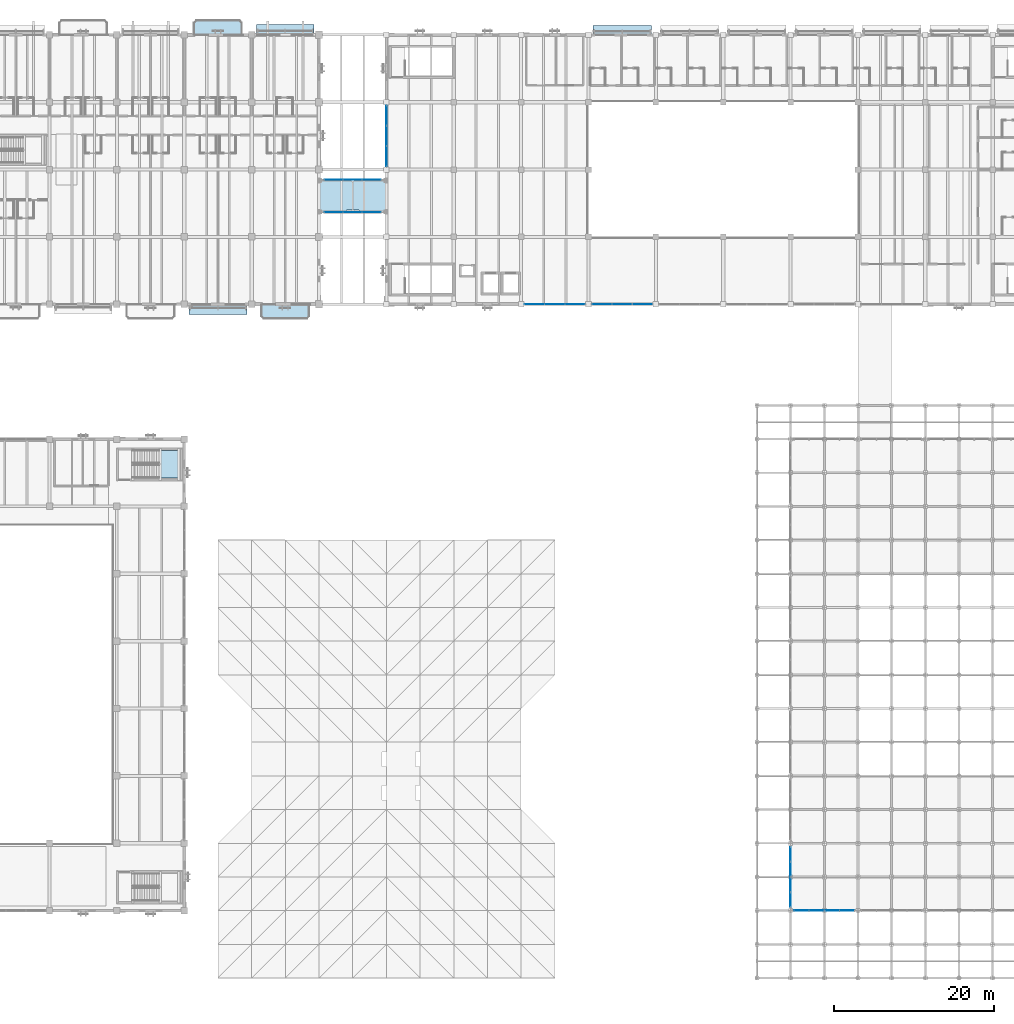
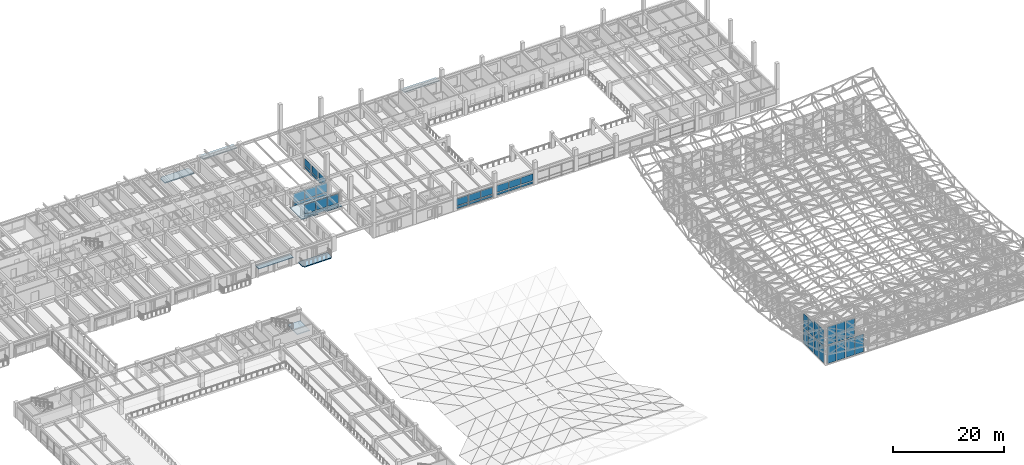
# One storey, part 68 of 123: 48 plates, 4 slabs, 13 elements without a shape of their own.
"""IFC4 building model written with IfcOpenShell, lengths in metres."""

import ifcopenshell
import ifcopenshell.guid

model = None  # the IFC model being written
_history = None  # IfcOwnerHistory: only IFC2X3 demands one
_inside = {}  # id of a spatial element -> (the spatial element, [elements in it])
_under = {}  # id of a project, library or spatial element -> (it, [spatial elements below it])
_declared = {}  # id of a project -> (the project, [libraries it declares])
_typed = {}  # id of a type object -> (the type object, [elements of that type])
_made_of = {}  # id of a material, layer set ... -> (it, [elements and type objects made of it])


def new_model(schema):
    """Start an empty IFC model of exactly this schema.

    Asked for "IFC4X3", IfcOpenShell would pick the latest addendum, in which some entities
    have other attributes; the version numbers below select the first issue.
    IFC2X3 requires an IfcOwnerHistory on every rooted entity: one is made here for all.
    """
    global model, _history
    if schema == "IFC4X3":
        model = ifcopenshell.file(schema_version=(4, 3, 0, 0))
    else:
        model = ifcopenshell.file(schema=schema)
    _inside.clear()
    _under.clear()
    _declared.clear()
    _typed.clear()
    _made_of.clear()
    _history = None
    if model.schema == "IFC2X3":
        org = make("IfcOrganization", Name="unknown")
        user = make(
            "IfcPersonAndOrganization",
            ThePerson=make("IfcPerson", FamilyName="unknown"),
            TheOrganization=org,
        )
        app = make(
            "IfcApplication",
            ApplicationDeveloper=org,
            Version="unknown",
            ApplicationFullName="unknown",
            ApplicationIdentifier="unknown",
        )
        _history = make(
            "IfcOwnerHistory",
            OwningUser=user,
            OwningApplication=app,
            ChangeAction="ADDED",
            CreationDate=0,
        )
    return model


def make(cls, **values):
    """One entity of the class cls with the attributes given. An attribute that is None is left unset."""
    return model.create_entity(
        cls, **{name: value for name, value in values.items() if value is not None}
    )


def rooted(cls, **values):
    """An entity with a GlobalId (a new one), such as an element, a storey or a relation."""
    return make(cls, GlobalId=ifcopenshell.guid.new(), OwnerHistory=_history, **values)


def si_unit(unit_type, name, prefix=None):
    """IfcSIUnit, for example si_unit("LENGTHUNIT", "METRE", prefix="MILLI")."""
    return make("IfcSIUnit", UnitType=unit_type, Prefix=prefix, Name=name)


def assignment(units):
    """IfcUnitAssignment: the units of a project."""
    return None if units is None else make("IfcUnitAssignment", Units=units)


def point(xyz):
    """IfcCartesianPoint."""
    return None if xyz is None else make("IfcCartesianPoint", Coordinates=xyz)


def direction(xyz):
    """IfcDirection."""
    return None if xyz is None else make("IfcDirection", DirectionRatios=xyz)


def frame(location, z_axis=None, x_axis=None):
    """IfcAxis2Placement3D, a coordinate frame: its origin and axes. An axis left out is left unset."""
    return make(
        "IfcAxis2Placement3D",
        Location=point(location),
        Axis=direction(z_axis),
        RefDirection=direction(x_axis),
    )


def frame_2d(location, x_axis=None):
    """IfcAxis2Placement2D, a coordinate frame in the plane: its origin and x axis."""
    return make(
        "IfcAxis2Placement2D", Location=point(location), RefDirection=direction(x_axis)
    )


def origin():
    """The frame at (0, 0, 0) with its axes left unset."""
    return frame((0.0, 0.0, 0.0))


def origin_2d():
    """The frame at (0, 0) in the plane with its x axis left unset."""
    return frame_2d((0.0, 0.0))


def place(relative_to, where):
    """IfcLocalPlacement: puts the frame where relative to a parent placement (None: the world)."""
    return make(
        "IfcLocalPlacement", PlacementRelTo=relative_to, RelativePlacement=where
    )


def context(
    kind, dimensions, precision=None, world=None, true_north=None, identifier=None
):
    """IfcGeometricRepresentationContext, for example the 3D "Model" context."""
    return make(
        "IfcGeometricRepresentationContext",
        ContextIdentifier=identifier,
        ContextType=kind,
        CoordinateSpaceDimension=dimensions,
        Precision=precision,
        WorldCoordinateSystem=world,
        TrueNorth=true_north,
    )


def subcontext(parent, identifier, kind, view, scale=None):
    """IfcGeometricRepresentationSubContext, for example "Body" below "Model"."""
    return make(
        "IfcGeometricRepresentationSubContext",
        ContextIdentifier=identifier,
        ContextType=kind,
        ParentContext=parent,
        TargetScale=scale,
        TargetView=view,
    )


def project(units=None, contexts=None):
    """IfcProject with its units and contexts."""
    return rooted(
        "IfcProject",
        Name="project",
        RepresentationContexts=contexts,
        UnitsInContext=assignment(units),
    )


def spatial(cls, under=None, at=None, **own):
    """A site, building, storey or space (cls), placed at a placement, below another one or the project."""
    s = rooted(cls, ObjectPlacement=at, **own)
    if under is not None:
        _under.setdefault(under.id(), (under, []))[1].append(s)
    return s


def polyline(points):
    """IfcPolyline through the points."""
    return make("IfcPolyline", Points=[point(p) for p in points])


def profile(cls, at=None, kind="AREA", **sizes):
    """A parametric profile (cls). Its sizes go by their IFC names, for example OverallWidth=200.0."""
    return make(cls, ProfileType=kind, Position=at, **sizes)


def rectangle(**sizes):
    """IfcRectangleProfileDef."""
    return profile("IfcRectangleProfileDef", **sizes)


def outline(outer, holes=None, kind="AREA"):
    """IfcArbitraryClosedProfileDef: a profile drawn as a closed curve; with holes, ...WithVoids."""
    if holes is None:
        return make("IfcArbitraryClosedProfileDef", ProfileType=kind, OuterCurve=outer)
    return make(
        "IfcArbitraryProfileDefWithVoids",
        ProfileType=kind,
        OuterCurve=outer,
        InnerCurves=holes,
    )


def extrude(swept, where, along, depth):
    """IfcExtrudedAreaSolid: the profile swept, set in the frame where, extruded along a direction by depth."""
    return make(
        "IfcExtrudedAreaSolid",
        SweptArea=swept,
        Position=where,
        ExtrudedDirection=direction(along),
        Depth=depth,
    )


def shape(context_of_items, identifier, shape_type, items):
    """IfcShapeRepresentation: the items that make up one representation, for example the "Body"."""
    return make(
        "IfcShapeRepresentation",
        ContextOfItems=context_of_items,
        RepresentationIdentifier=identifier,
        RepresentationType=shape_type,
        Items=items,
    )


def material(Name=None, Category=None):
    """IfcMaterial."""
    return make("IfcMaterial", Name=Name, Category=Category)


def layer(
    of_material, thickness, ventilated=None, Name=None, Category=None, Priority=None
):
    """IfcMaterialLayer: one layer of a wall or slab, of a material (None: an air gap)."""
    return make(
        "IfcMaterialLayer",
        Material=of_material,
        LayerThickness=thickness,
        IsVentilated=ventilated,
        Name=Name,
        Category=Category,
        Priority=Priority,
    )


def layer_set(layers, Name=None):
    """IfcMaterialLayerSet."""
    return make("IfcMaterialLayerSet", MaterialLayers=layers, LayerSetName=Name)


def made_of(thing, what):
    """Note that an element or type object is made of a material, layer set ...; save() writes the relation."""
    if what is not None:
        _made_of.setdefault(what.id(), (what, []))[1].append(thing)
    return thing


def type_object(cls, material=None, **own):
    """A type object (cls), such as IfcWallType, which elements share."""
    return made_of(rooted(cls, **own), material)


def element(
    cls,
    number,
    at=None,
    inside=None,
    cuts=None,
    type_object=None,
    material=None,
    context=None,
    identifier="Body",
    shape_type=None,
    held_by="IfcProductDefinitionShape",
    body=None,
    shapes=None,
    **own,
):
    """One element of the class cls, such as IfcWall. Its Tag is "e" and its number.

    at: its placement. inside: the storey or other place that contains it. cuts: it is an
    opening in that element (IfcRelVoidsElement). A single representation is given by context,
    identifier, shape_type and body (its items); several are given by shapes. held_by: the class
    of the entity that holds the representations. save() writes the other relations.
    """
    e = rooted(cls, Tag="e%d" % number, ObjectPlacement=at, **own)
    if body is not None:
        shapes = [shape(context, identifier, shape_type, body)]
    if shapes is not None:
        e.Representation = make(held_by, Representations=shapes)
    if inside is not None:
        _inside.setdefault(inside.id(), (inside, []))[1].append(e)
    if cuts is not None:
        rooted(
            "IfcRelVoidsElement", RelatingBuildingElement=cuts, RelatedOpeningElement=e
        )
    if type_object is not None:
        _typed.setdefault(type_object.id(), (type_object, []))[1].append(e)
    return made_of(e, material)


def aggregate(whole, parts):
    """IfcRelAggregates: a whole, such as a stair, and the parts it consists of."""
    return rooted("IfcRelAggregates", RelatingObject=whole, RelatedObjects=parts)


def save(model, path):
    """Write the relations noted so far, then the file.

    IfcRelAggregates (storeys below a building ...), IfcRelContainedInSpatialStructure (elements
    in a storey), IfcRelDefinesByType, IfcRelAssociatesMaterial and IfcRelDeclares: one each for
    every whole, place, type object, material and project.
    """
    for whole, parts in _under.values():
        aggregate(whole, parts)
    for where, things in _inside.values():
        rooted(
            "IfcRelContainedInSpatialStructure",
            RelatedElements=things,
            RelatingStructure=where,
        )
    for kind, things in _typed.values():
        rooted("IfcRelDefinesByType", RelatedObjects=things, RelatingType=kind)
    for what, things in _made_of.values():
        rooted("IfcRelAssociatesMaterial", RelatedObjects=things, RelatingMaterial=what)
    for by, libraries in _declared.values():
        rooted("IfcRelDeclares", RelatingContext=by, RelatedDefinitions=libraries)
    model.write(path)


model = new_model("IFC4")

# Units and contexts
model_context = context("Model", 3, precision=1e-05, world=origin(), true_north=direction((0.0, 1.0)))
body_context = subcontext(model_context, "Body", "Model", "MODEL_VIEW")
ifc_project = project(units=[si_unit("LENGTHUNIT", "METRE"), si_unit("AREAUNIT", "SQUARE_METRE"), si_unit("VOLUMEUNIT", "CUBIC_METRE"), si_unit("PLANEANGLEUNIT", "RADIAN"), si_unit("MASSUNIT", "GRAM", prefix="KILO")], contexts=[model_context])

# Site, building, storey
site_placement = place(None, origin())
site = spatial("IfcSite", under=ifc_project, at=site_placement, CompositionType="ELEMENT")
building_placement = place(site_placement, origin())
building = spatial("IfcBuilding", under=site, at=building_placement, Name="Cumbredor Promenade Congress Hotel", CompositionType="ELEMENT")
storey_placement = place(building_placement, frame((0.0, 0.0, 11.760009765625)))
storey = spatial("IfcBuildingStorey", under=building, at=storey_placement, Name="L03", CompositionType="ELEMENT", Elevation=11.760009765625)

# Slabs
ifc_material_1 = material(Name="Concrete C40/50", Category="concrete")
ifc_layer_1 = layer(ifc_material_1, 0.215087890625, Name="Concrete C40/50", Category="concrete")
ifc_layer_set_1 = layer_set([ifc_layer_1], Name="Concrete C40/50")
slab_type_1 = type_object("IfcSlabType", Name="Cantilevered Guestroom Balcony Slab 215mm", PredefinedType="FLOOR", material=ifc_layer_set_1)
slab_1_placement = place(storey_placement, frame((0.0, 0.0, -0.215087890625)))
element("IfcSlab", 1, at=slab_1_placement, inside=storey, type_object=slab_type_1, Name="L03 Cantilevered Guestroom Veranda Balcony 015", PredefinedType="FLOOR", context=body_context, shape_type="SweptSolid", body=[
    extrude(outline(polyline([(68.35009765625, 117.60009765625), (74.449951171875, 117.60009765625), (74.449951171875, 119.10009765625), (74.10009765625, 119.449951171875), (68.699951171875, 119.449951171875), (68.35009765625, 119.10009765625), (68.35009765625, 117.60009765625)])), origin(), (0.0, 0.0, 1.0), 0.215087890625),
])
slab_2_placement = place(storey_placement, frame((0.0, 0.0, -0.215087890625)))
element("IfcSlab", 2, at=slab_2_placement, inside=storey, type_object=slab_type_1, Name="L03 Cantilevered Guestroom Veranda Balcony 019", PredefinedType="FLOOR", context=body_context, shape_type="SweptSolid", body=[
    extrude(outline(polyline([(77.10009765625, 82.14990234375), (82.5, 82.14990234375), (82.85009765625, 82.5), (82.85009765625, 84.0), (76.75, 84.0), (76.75, 82.5), (77.10009765625, 82.14990234375)])), origin(), (0.0, 0.0, 1.0), 0.215087890625),
])

# Curtain wall, plates
ifc_material_2 = material(Name="Thermally broken anodized aluminium and low-E glass", Category="aluminium")
curtain_wall_type_1 = type_object("IfcCurtainWallType", Name="Stepped Pavilion Clerestory Curtain Wall CW-06", PredefinedType="NOTDEFINED", material=ifc_material_2)
curtain_wall_1_placement = place(storey_placement, origin())
curtain_wall_1 = element("IfcCurtainWall", 3, at=curtain_wall_1_placement, inside=storey, type_object=curtain_wall_type_1, Name="Grand Ballroom Pavilion S Glazed Clerestory 1", PredefinedType="NOTDEFINED")
ifc_material_3 = material(Name="Laminated low-E solar-control glass", Category="glass")
ifc_layer_2 = layer(ifc_material_3, 0.031982421875, Name="Laminated low-E solar-control glass", Category="glass")
ifc_layer_set_2 = layer_set([ifc_layer_2], Name="Laminated low-E solar-control glass")
plate_type_1 = type_object("IfcPlateType", Name="Clerestory Glazed Vision Panel PNL-07", PredefinedType="CURTAIN_PANEL", material=ifc_layer_set_2)
plate_1_placement = place(storey_placement, frame((144.169921875, 8.39990234375, 0.169921875), z_axis=(0.0, 0.0, 1.0), x_axis=(1.0, 0.0, 0.0)))
plate_1 = element("IfcPlate", 4, at=plate_1_placement, type_object=plate_type_1, Name="Grand Ballroom Pavilion S Glazed Clerestory 1 Glazing Panel 1.1", PredefinedType="CURTAIN_PANEL", context=body_context, shape_type="SweptSolid", body=[
    extrude(rectangle(XDim=1.77490234375, YDim=0.031982421875, at=origin_2d()), origin(), (0.0, 0.0, 1.0), 3.93994140625),
])
plate_2_placement = place(storey_placement, frame((144.169921875, 8.39990234375, 4.2900390625), z_axis=(0.0, 0.0, 1.0), x_axis=(1.0, 0.0, 0.0)))
plate_2 = element("IfcPlate", 5, at=plate_2_placement, type_object=plate_type_1, Name="Grand Ballroom Pavilion S Glazed Clerestory 1 Glazing Panel 1.2", PredefinedType="CURTAIN_PANEL", context=body_context, shape_type="SweptSolid", body=[
    extrude(rectangle(XDim=1.77490234375, YDim=0.031982421875, at=origin_2d()), origin(), (0.0, 0.0, 1.0), 3.949951171875),
])
plate_3_placement = place(storey_placement, frame((146.030029296875, 8.39990234375, 0.169921875), z_axis=(0.0, 0.0, 1.0), x_axis=(1.0, 0.0, 0.0)))
plate_3 = element("IfcPlate", 6, at=plate_3_placement, type_object=plate_type_1, Name="Grand Ballroom Pavilion S Glazed Clerestory 1 Glazing Panel 2.1", PredefinedType="CURTAIN_PANEL", context=body_context, shape_type="SweptSolid", body=[
    extrude(rectangle(XDim=1.77490234375, YDim=0.031982421875, at=origin_2d()), origin(), (0.0, 0.0, 1.0), 3.93994140625),
])
plate_4_placement = place(storey_placement, frame((146.030029296875, 8.39990234375, 4.2900390625), z_axis=(0.0, 0.0, 1.0), x_axis=(1.0, 0.0, 0.0)))
plate_4 = element("IfcPlate", 7, at=plate_4_placement, type_object=plate_type_1, Name="Grand Ballroom Pavilion S Glazed Clerestory 1 Glazing Panel 2.2", PredefinedType="CURTAIN_PANEL", context=body_context, shape_type="SweptSolid", body=[
    extrude(rectangle(XDim=1.77490234375, YDim=0.031982421875, at=origin_2d()), origin(), (0.0, 0.0, 1.0), 3.949951171875),
])
aggregate(curtain_wall_1, [plate_1, plate_2, plate_3, plate_4])

curtain_wall_2_placement = place(storey_placement, origin())
curtain_wall_2 = element("IfcCurtainWall", 8, at=curtain_wall_2_placement, inside=storey, type_object=curtain_wall_type_1, Name="Grand Ballroom Pavilion S Glazed Clerestory 2", PredefinedType="NOTDEFINED")
plate_5_placement = place(storey_placement, frame((147.969970703125, 8.39990234375, 0.169921875), z_axis=(0.0, 0.0, 1.0), x_axis=(1.0, 0.0, 0.0)))
plate_5 = element("IfcPlate", 9, at=plate_5_placement, type_object=plate_type_1, Name="Grand Ballroom Pavilion S Glazed Clerestory 2 Glazing Panel 1.1", PredefinedType="CURTAIN_PANEL", context=body_context, shape_type="SweptSolid", body=[
    extrude(rectangle(XDim=1.77490234375, YDim=0.031982421875, at=origin_2d()), origin(), (0.0, 0.0, 1.0), 3.929931640625),
])
plate_6_placement = place(storey_placement, frame((147.969970703125, 8.39990234375, 4.280029296875), z_axis=(0.0, 0.0, 1.0), x_axis=(1.0, 0.0, 0.0)))
plate_6 = element("IfcPlate", 10, at=plate_6_placement, type_object=plate_type_1, Name="Grand Ballroom Pavilion S Glazed Clerestory 2 Glazing Panel 1.2", PredefinedType="CURTAIN_PANEL", context=body_context, shape_type="SweptSolid", body=[
    extrude(rectangle(XDim=1.77490234375, YDim=0.031982421875, at=origin_2d()), origin(), (0.0, 0.0, 1.0), 3.919921875),
])
plate_7_placement = place(storey_placement, frame((149.830078125, 8.39990234375, 0.169921875), z_axis=(0.0, 0.0, 1.0), x_axis=(1.0, 0.0, 0.0)))
plate_7 = element("IfcPlate", 11, at=plate_7_placement, type_object=plate_type_1, Name="Grand Ballroom Pavilion S Glazed Clerestory 2 Glazing Panel 2.1", PredefinedType="CURTAIN_PANEL", context=body_context, shape_type="SweptSolid", body=[
    extrude(rectangle(XDim=1.77490234375, YDim=0.031982421875, at=origin_2d()), origin(), (0.0, 0.0, 1.0), 3.929931640625),
])
aggregate(curtain_wall_2, [plate_5, plate_6, plate_7])

curtain_wall_3_placement = place(storey_placement, origin())
curtain_wall_3 = element("IfcCurtainWall", 12, at=curtain_wall_3_placement, inside=storey, type_object=curtain_wall_type_1, Name="Grand Ballroom Pavilion W Glazed Clerestory 1", PredefinedType="NOTDEFINED")
plate_8_placement = place(storey_placement, frame((142.800048828125, 9.77001953125, 0.169921875), z_axis=(0.0, 0.0, 1.0), x_axis=(0.0, 1.0, 0.0)))
plate_8 = element("IfcPlate", 13, at=plate_8_placement, type_object=plate_type_1, Name="Grand Ballroom Pavilion W Glazed Clerestory 1 Glazing Panel 1.1", PredefinedType="CURTAIN_PANEL", context=body_context, shape_type="SweptSolid", body=[
    extrude(rectangle(XDim=1.77490234375, YDim=0.031982421875, at=origin_2d()), origin(), (0.0, 0.0, 1.0), 3.530029296875),
])
plate_9_placement = place(storey_placement, frame((142.800048828125, 9.77001953125, 3.8798828125), z_axis=(0.0, 0.0, 1.0), x_axis=(0.0, 1.0, 0.0)))
plate_9 = element("IfcPlate", 14, at=plate_9_placement, type_object=plate_type_1, Name="Grand Ballroom Pavilion W Glazed Clerestory 1 Glazing Panel 1.2", PredefinedType="CURTAIN_PANEL", context=body_context, shape_type="SweptSolid", body=[
    extrude(rectangle(XDim=1.77490234375, YDim=0.031982421875, at=origin_2d()), origin(), (0.0, 0.0, 1.0), 3.530029296875),
])
plate_10_placement = place(storey_placement, frame((142.800048828125, 11.6298828125, 0.169921875), z_axis=(0.0, 0.0, 1.0), x_axis=(0.0, 1.0, 0.0)))
plate_10 = element("IfcPlate", 15, at=plate_10_placement, type_object=plate_type_1, Name="Grand Ballroom Pavilion W Glazed Clerestory 1 Glazing Panel 2.1", PredefinedType="CURTAIN_PANEL", context=body_context, shape_type="SweptSolid", body=[
    extrude(rectangle(XDim=1.77490234375, YDim=0.031982421875, at=origin_2d()), origin(), (0.0, 0.0, 1.0), 3.530029296875),
])
plate_11_placement = place(storey_placement, frame((142.800048828125, 11.6298828125, 3.8798828125), z_axis=(0.0, 0.0, 1.0), x_axis=(0.0, 1.0, 0.0)))
plate_11 = element("IfcPlate", 16, at=plate_11_placement, type_object=plate_type_1, Name="Grand Ballroom Pavilion W Glazed Clerestory 1 Glazing Panel 2.2", PredefinedType="CURTAIN_PANEL", context=body_context, shape_type="SweptSolid", body=[
    extrude(rectangle(XDim=1.77490234375, YDim=0.031982421875, at=origin_2d()), origin(), (0.0, 0.0, 1.0), 3.530029296875),
])
aggregate(curtain_wall_3, [plate_8, plate_9, plate_10, plate_11])

curtain_wall_4_placement = place(storey_placement, origin())
curtain_wall_4 = element("IfcCurtainWall", 17, at=curtain_wall_4_placement, inside=storey, type_object=curtain_wall_type_1, Name="Grand Ballroom Pavilion W Glazed Clerestory 2", PredefinedType="NOTDEFINED")
plate_12_placement = place(storey_placement, frame((142.800048828125, 13.570068359375, 0.169921875), z_axis=(0.0, 0.0, 1.0), x_axis=(0.0, 1.0, 0.0)))
plate_12 = element("IfcPlate", 18, at=plate_12_placement, type_object=plate_type_1, Name="Grand Ballroom Pavilion W Glazed Clerestory 2 Glazing Panel 1.1", PredefinedType="CURTAIN_PANEL", context=body_context, shape_type="SweptSolid", body=[
    extrude(rectangle(XDim=1.77490234375, YDim=0.031982421875, at=origin_2d()), origin(), (0.0, 0.0, 1.0), 3.169921875),
])
plate_13_placement = place(storey_placement, frame((142.800048828125, 13.570068359375, 3.52001953125), z_axis=(0.0, 0.0, 1.0), x_axis=(0.0, 1.0, 0.0)))
plate_13 = element("IfcPlate", 19, at=plate_13_placement, type_object=plate_type_1, Name="Grand Ballroom Pavilion W Glazed Clerestory 2 Glazing Panel 1.2", PredefinedType="CURTAIN_PANEL", context=body_context, shape_type="SweptSolid", body=[
    extrude(rectangle(XDim=1.77490234375, YDim=0.031982421875, at=origin_2d()), origin(), (0.0, 0.0, 1.0), 3.159912109375),
])
plate_14_placement = place(storey_placement, frame((142.800048828125, 15.429931640625, 0.169921875), z_axis=(0.0, 0.0, 1.0), x_axis=(0.0, 1.0, 0.0)))
plate_14 = element("IfcPlate", 20, at=plate_14_placement, type_object=plate_type_1, Name="Grand Ballroom Pavilion W Glazed Clerestory 2 Glazing Panel 2.1", PredefinedType="CURTAIN_PANEL", context=body_context, shape_type="SweptSolid", body=[
    extrude(rectangle(XDim=1.77490234375, YDim=0.031982421875, at=origin_2d()), origin(), (0.0, 0.0, 1.0), 3.169921875),
])
plate_15_placement = place(storey_placement, frame((142.800048828125, 15.429931640625, 3.52001953125), z_axis=(0.0, 0.0, 1.0), x_axis=(0.0, 1.0, 0.0)))
plate_15 = element("IfcPlate", 21, at=plate_15_placement, type_object=plate_type_1, Name="Grand Ballroom Pavilion W Glazed Clerestory 2 Glazing Panel 2.2", PredefinedType="CURTAIN_PANEL", context=body_context, shape_type="SweptSolid", body=[
    extrude(rectangle(XDim=1.77490234375, YDim=0.031982421875, at=origin_2d()), origin(), (0.0, 0.0, 1.0), 3.159912109375),
])
aggregate(curtain_wall_4, [plate_12, plate_13, plate_14, plate_15])

# Stair, slab
stair_type = type_object("IfcStairType", Name="Protected Dog-Leg Exit Stair ST-T3 1650mm", PredefinedType="HALF_TURN_STAIR", material=ifc_material_1)
stair_placement = place(storey_placement, origin())
stair = element("IfcStair", 22, at=stair_placement, inside=storey, type_object=stair_type, Name="L03 Protected Exit Stair ST-07", PredefinedType="HALF_TURN_STAIR")
ifc_layer_3 = layer(ifc_material_1, 0.199951171875, Name="Concrete C40/50", Category="concrete")
ifc_layer_set_3 = layer_set([ifc_layer_3], Name="Concrete C40/50")
slab_type_2 = type_object("IfcSlabType", Name="Concrete Stair Landing Slab 200mm", PredefinedType="LANDING", material=ifc_layer_set_3)
slab_3_placement = place(storey_placement, frame((0.0, 0.0, 1.47998046875)))
slab_3 = element("IfcSlab", 23, at=slab_3_placement, type_object=slab_type_2, Name="ST-07 landing 1", PredefinedType="LANDING", context=body_context, shape_type="SweptSolid", body=[
    extrude(outline(polyline([(64.050048828125, 62.35009765625), (66.64990234375, 62.35009765625), (66.64990234375, 65.800048828125), (64.050048828125, 65.800048828125), (64.050048828125, 62.35009765625)])), origin(), (0.0, 0.0, 1.0), 0.199951171875),
])
aggregate(stair, [slab_3])

# Curtain wall, plates
curtain_wall_type_2 = type_object("IfcCurtainWallType", Name="Unitised Bridge Glazing Screen CW-05", PredefinedType="NOTDEFINED", material=ifc_material_2)
curtain_wall_5_placement = place(storey_placement, origin())
curtain_wall_5 = element("IfcCurtainWall", 24, at=curtain_wall_5_placement, inside=storey, type_object=curtain_wall_type_2, Name="L03 North Hotel-to-Forum Glazed Bridge South Glazing Screen", PredefinedType="NOTDEFINED")
ifc_layer_4 = layer(ifc_material_3, 0.030029296875, Name="Laminated low-E solar-control glass", Category="glass")
ifc_layer_set_4 = layer_set([ifc_layer_4], Name="Laminated low-E solar-control glass")
plate_type_2 = type_object("IfcPlateType", Name="Glazed Bridge Panel PNL-04", PredefinedType="CURTAIN_PANEL", material=ifc_layer_set_4)
plate_16_placement = place(storey_placement, frame((85.840087890625, 95.47998046875, 0.78515625), z_axis=(0.0, 0.0, 1.0), x_axis=(1.0, 0.0, 0.0)))
plate_16 = element("IfcPlate", 25, at=plate_16_placement, type_object=plate_type_2, Name="L03 North Hotel-to-Forum Glazed Bridge South Glazing Screen Glazing Panel 1.2", PredefinedType="CURTAIN_PANEL", context=body_context, shape_type="SweptSolid", body=[
    extrude(rectangle(XDim=2.294921875, YDim=0.030029296875, at=origin_2d()), origin(), (0.0, 0.0, 1.0), 2.070068359375),
])
plate_17_placement = place(storey_placement, frame((88.199951171875, 95.47998046875, 0.78515625), z_axis=(0.0, 0.0, 1.0), x_axis=(1.0, 0.0, 0.0)))
plate_17 = element("IfcPlate", 26, at=plate_17_placement, type_object=plate_type_2, Name="L03 North Hotel-to-Forum Glazed Bridge South Glazing Screen Glazing Panel 2.2", PredefinedType="CURTAIN_PANEL", context=body_context, shape_type="SweptSolid", body=[
    extrude(rectangle(XDim=2.294921875, YDim=0.030029296875, at=origin_2d()), origin(), (0.0, 0.0, 1.0), 2.070068359375),
])
plate_18_placement = place(storey_placement, frame((90.56005859375, 95.47998046875, 0.78515625), z_axis=(0.0, 0.0, 1.0), x_axis=(1.0, 0.0, 0.0)))
plate_18 = element("IfcPlate", 27, at=plate_18_placement, type_object=plate_type_2, Name="L03 North Hotel-to-Forum Glazed Bridge South Glazing Screen Glazing Panel 3.2", PredefinedType="CURTAIN_PANEL", context=body_context, shape_type="SweptSolid", body=[
    extrude(rectangle(XDim=2.294921875, YDim=0.030029296875, at=origin_2d()), origin(), (0.0, 0.0, 1.0), 2.070068359375),
])

curtain_wall_6_placement = place(storey_placement, origin())
curtain_wall_6 = element("IfcCurtainWall", 28, at=curtain_wall_6_placement, inside=storey, type_object=curtain_wall_type_2, Name="L03 North Hotel-to-Forum Glazed Bridge North Glazing Screen", PredefinedType="NOTDEFINED")
plate_19_placement = place(storey_placement, frame((85.840087890625, 99.52001953125, 0.78515625), z_axis=(0.0, 0.0, 1.0), x_axis=(1.0, 0.0, 0.0)))
plate_19 = element("IfcPlate", 29, at=plate_19_placement, type_object=plate_type_2, Name="L03 North Hotel-to-Forum Glazed Bridge North Glazing Screen Glazing Panel 1.2", PredefinedType="CURTAIN_PANEL", context=body_context, shape_type="SweptSolid", body=[
    extrude(rectangle(XDim=2.294921875, YDim=0.030029296875, at=origin_2d()), origin(), (0.0, 0.0, 1.0), 2.070068359375),
])
plate_20_placement = place(storey_placement, frame((88.199951171875, 99.52001953125, 0.78515625), z_axis=(0.0, 0.0, 1.0), x_axis=(1.0, 0.0, 0.0)))
plate_20 = element("IfcPlate", 30, at=plate_20_placement, type_object=plate_type_2, Name="L03 North Hotel-to-Forum Glazed Bridge North Glazing Screen Glazing Panel 2.2", PredefinedType="CURTAIN_PANEL", context=body_context, shape_type="SweptSolid", body=[
    extrude(rectangle(XDim=2.294921875, YDim=0.030029296875, at=origin_2d()), origin(), (0.0, 0.0, 1.0), 2.070068359375),
])
plate_21_placement = place(storey_placement, frame((90.56005859375, 99.52001953125, 0.78515625), z_axis=(0.0, 0.0, 1.0), x_axis=(1.0, 0.0, 0.0)))
plate_21 = element("IfcPlate", 31, at=plate_21_placement, type_object=plate_type_2, Name="L03 North Hotel-to-Forum Glazed Bridge North Glazing Screen Glazing Panel 3.2", PredefinedType="CURTAIN_PANEL", context=body_context, shape_type="SweptSolid", body=[
    extrude(rectangle(XDim=2.294921875, YDim=0.030029296875, at=origin_2d()), origin(), (0.0, 0.0, 1.0), 2.070068359375),
])

curtain_wall_type_3 = type_object("IfcCurtainWallType", Name="Unitised Forum Curtain Wall CW-02", PredefinedType="NOTDEFINED", material=ifc_material_2)
curtain_wall_7_placement = place(storey_placement, origin())
curtain_wall_7 = element("IfcCurtainWall", 32, at=curtain_wall_7_placement, inside=storey, type_object=curtain_wall_type_3, Name="L03 Pre-Function and Breakout Meeting Forum South Curtain Wall 3", PredefinedType="NOTDEFINED")
ifc_layer_5 = layer(ifc_material_3, 0.031982421875, Name="Laminated low-E solar-control glass", Category="glass")
ifc_layer_set_5 = layer_set([ifc_layer_5], Name="Laminated low-E solar-control glass")
plate_type_3 = type_object("IfcPlateType", Name="Glazed Vision Panel PNL-02", PredefinedType="CURTAIN_PANEL", material=ifc_layer_set_5)
plate_22_placement = place(storey_placement, frame((110.8701171875, 84.0, 0.794921875), z_axis=(0.0, 0.0, 1.0), x_axis=(1.0, 0.0, 0.0)))
plate_22 = element("IfcPlate", 33, at=plate_22_placement, type_object=plate_type_3, Name="L03 Pre-Function and Breakout Meeting Forum South Curtain Wall 3 Glazing Panel 1.2", PredefinedType="CURTAIN_PANEL", context=body_context, shape_type="SweptSolid", body=[
    extrude(rectangle(XDim=2.455078125, YDim=0.031982421875, at=origin_2d()), origin(), (0.0, 0.0, 1.0), 1.550048828125),
])
plate_23_placement = place(storey_placement, frame((113.39990234375, 84.0, 0.794921875), z_axis=(0.0, 0.0, 1.0), x_axis=(1.0, 0.0, 0.0)))
plate_23 = element("IfcPlate", 34, at=plate_23_placement, type_object=plate_type_3, Name="L03 Pre-Function and Breakout Meeting Forum South Curtain Wall 3 Glazing Panel 2.2", PredefinedType="CURTAIN_PANEL", context=body_context, shape_type="SweptSolid", body=[
    extrude(rectangle(XDim=2.455078125, YDim=0.031982421875, at=origin_2d()), origin(), (0.0, 0.0, 1.0), 1.550048828125),
])
plate_24_placement = place(storey_placement, frame((115.929931640625, 84.0, 0.794921875), z_axis=(0.0, 0.0, 1.0), x_axis=(1.0, 0.0, 0.0)))
plate_24 = element("IfcPlate", 35, at=plate_24_placement, type_object=plate_type_3, Name="L03 Pre-Function and Breakout Meeting Forum South Curtain Wall 3 Glazing Panel 3.2", PredefinedType="CURTAIN_PANEL", context=body_context, shape_type="SweptSolid", body=[
    extrude(rectangle(XDim=2.455078125, YDim=0.031982421875, at=origin_2d()), origin(), (0.0, 0.0, 1.0), 1.550048828125),
])

curtain_wall_8_placement = place(storey_placement, origin())
curtain_wall_8 = element("IfcCurtainWall", 36, at=curtain_wall_8_placement, inside=storey, type_object=curtain_wall_type_3, Name="L03 Pre-Function and Breakout Meeting Forum West Curtain Wall 3", PredefinedType="NOTDEFINED")
plate_25_placement = place(storey_placement, frame((92.39990234375, 102.469970703125, 0.794921875), z_axis=(0.0, 0.0, 1.0), x_axis=(0.0, 1.0, 0.0)))
plate_25 = element("IfcPlate", 37, at=plate_25_placement, type_object=plate_type_3, Name="L03 Pre-Function and Breakout Meeting Forum West Curtain Wall 3 Glazing Panel 1.2", PredefinedType="CURTAIN_PANEL", context=body_context, shape_type="SweptSolid", body=[
    extrude(rectangle(XDim=2.455078125, YDim=0.031982421875, at=origin_2d()), origin(), (0.0, 0.0, 1.0), 1.510009765625),
])
plate_26_placement = place(storey_placement, frame((92.39990234375, 105.0, 0.794921875), z_axis=(0.0, 0.0, 1.0), x_axis=(0.0, 1.0, 0.0)))
plate_26 = element("IfcPlate", 38, at=plate_26_placement, type_object=plate_type_3, Name="L03 Pre-Function and Breakout Meeting Forum West Curtain Wall 3 Glazing Panel 2.2", PredefinedType="CURTAIN_PANEL", context=body_context, shape_type="SweptSolid", body=[
    extrude(rectangle(XDim=2.455078125, YDim=0.031982421875, at=origin_2d()), origin(), (0.0, 0.0, 1.0), 1.510009765625),
])
plate_27_placement = place(storey_placement, frame((92.39990234375, 107.530029296875, 0.794921875), z_axis=(0.0, 0.0, 1.0), x_axis=(0.0, 1.0, 0.0)))
plate_27 = element("IfcPlate", 39, at=plate_27_placement, type_object=plate_type_3, Name="L03 Pre-Function and Breakout Meeting Forum West Curtain Wall 3 Glazing Panel 3.2", PredefinedType="CURTAIN_PANEL", context=body_context, shape_type="SweptSolid", body=[
    extrude(rectangle(XDim=2.455078125, YDim=0.031982421875, at=origin_2d()), origin(), (0.0, 0.0, 1.0), 1.510009765625),
])

curtain_wall_9_placement = place(storey_placement, origin())
curtain_wall_9 = element("IfcCurtainWall", 40, at=curtain_wall_9_placement, inside=storey, type_object=curtain_wall_type_3, Name="L03 Pre-Function and Breakout Meeting Forum South Curtain Wall 4", PredefinedType="NOTDEFINED")
ifc_layer_6 = layer(ifc_material_3, 0.028076171875, Name="Laminated low-E solar-control glass", Category="glass")
ifc_layer_set_6 = layer_set([ifc_layer_6], Name="Laminated low-E solar-control glass")
plate_type_4 = type_object("IfcPlateType", Name="Glazed Vision Panel PNL-03", PredefinedType="CURTAIN_PANEL", material=ifc_layer_set_6)
plate_28_placement = place(storey_placement, frame((119.27001953125, 84.0, 0.81005859375), z_axis=(0.0, 0.0, 1.0), x_axis=(1.0, 0.0, 0.0)))
plate_28 = element("IfcPlate", 41, at=plate_28_placement, type_object=plate_type_4, Name="L03 Pre-Function and Breakout Meeting Forum South Curtain Wall 4 Glazing Panel 1.2", PredefinedType="CURTAIN_PANEL", context=body_context, shape_type="SweptSolid", body=[
    extrude(rectangle(XDim=2.449951171875, YDim=0.028076171875, at=origin_2d()), origin(), (0.0, 0.0, 1.0), 1.5),
])
plate_29_placement = place(storey_placement, frame((121.800048828125, 84.0, 0.81005859375), z_axis=(0.0, 0.0, 1.0), x_axis=(1.0, 0.0, 0.0)))
plate_29 = element("IfcPlate", 42, at=plate_29_placement, type_object=plate_type_4, Name="L03 Pre-Function and Breakout Meeting Forum South Curtain Wall 4 Glazing Panel 2.2", PredefinedType="CURTAIN_PANEL", context=body_context, shape_type="SweptSolid", body=[
    extrude(rectangle(XDim=2.449951171875, YDim=0.028076171875, at=origin_2d()), origin(), (0.0, 0.0, 1.0), 1.5),
])
plate_30_placement = place(storey_placement, frame((124.330078125, 84.0, 0.81005859375), z_axis=(0.0, 0.0, 1.0), x_axis=(1.0, 0.0, 0.0)))
plate_30 = element("IfcPlate", 43, at=plate_30_placement, type_object=plate_type_4, Name="L03 Pre-Function and Breakout Meeting Forum South Curtain Wall 4 Glazing Panel 3.2", PredefinedType="CURTAIN_PANEL", context=body_context, shape_type="SweptSolid", body=[
    extrude(rectangle(XDim=2.449951171875, YDim=0.028076171875, at=origin_2d()), origin(), (0.0, 0.0, 1.0), 1.5),
])

# Curtain wall, plate
curtain_wall_type_4 = type_object("IfcCurtainWallType", Name="Solar Brise-Soleil Screen Assembly CW-07", PredefinedType="NOTDEFINED", material=ifc_material_2)
curtain_wall_10_placement = place(storey_placement, origin())
curtain_wall_10 = element("IfcCurtainWall", 44, at=curtain_wall_10_placement, inside=storey, type_object=curtain_wall_type_4, Name="L03 Hospitality Brise-Soleil Screen 047", PredefinedType="NOTDEFINED")
ifc_material_4 = material(Name="Precast concrete C40/50", Category="concrete")
ifc_layer_7 = layer(ifc_material_4, 0.14501953125, Name="Precast concrete C40/50", Category="concrete")
ifc_layer_set_7 = layer_set([ifc_layer_7], Name="Precast concrete C40/50")
plate_type_5 = type_object("IfcPlateType", Name="Horizontal Precast Sun-Hood Eyebrow Plate 145mm", PredefinedType="USERDEFINED", material=ifc_layer_set_7)
plate_31_placement = place(storey_placement, frame((121.800048828125, 118.14990234375, 2.333984375), z_axis=(0.0, 0.0, 1.0), x_axis=(1.0, 0.0, 0.0)))
plate_31 = element("IfcPlate", 45, at=plate_31_placement, type_object=plate_type_5, Name="L03 Horizontal Sun-Hood Eyebrow 047", ObjectType="SUN HOOD", PredefinedType="USERDEFINED", context=body_context, shape_type="SweptSolid", body=[
    extrude(rectangle(XDim=7.298095703125, YDim=1.260009765625, at=origin_2d()), origin(), (0.0, 0.0, 1.0), 0.14501953125),
])
aggregate(curtain_wall_10, [plate_31])

curtain_wall_11_placement = place(storey_placement, origin())
curtain_wall_11 = element("IfcCurtainWall", 46, at=curtain_wall_11_placement, inside=storey, type_object=curtain_wall_type_4, Name="L03 Hospitality Brise-Soleil Screen 060", PredefinedType="NOTDEFINED")
plate_32_placement = place(storey_placement, frame((71.39990234375, 83.419921875, 2.25390625), z_axis=(0.0, 0.0, 1.0), x_axis=(1.0, 0.0, 0.0)))
plate_32 = element("IfcPlate", 47, at=plate_32_placement, type_object=plate_type_5, Name="L03 Horizontal Sun-Hood Eyebrow 060", ObjectType="SUN HOOD", PredefinedType="USERDEFINED", context=body_context, shape_type="SweptSolid", body=[
    extrude(rectangle(XDim=7.197998046875, YDim=1.320068359375, at=origin_2d()), origin(), (0.0, 0.0, 1.0), 0.14501953125),
])
aggregate(curtain_wall_11, [plate_32])

curtain_wall_12_placement = place(storey_placement, origin())
curtain_wall_12 = element("IfcCurtainWall", 48, at=curtain_wall_12_placement, inside=storey, type_object=curtain_wall_type_4, Name="L03 Hospitality Brise-Soleil Screen 065", PredefinedType="NOTDEFINED")
plate_33_placement = place(storey_placement, frame((79.77490234375, 118.191162109375, 2.333984375), z_axis=(0.0, 0.0, 1.0), x_axis=(1.0, 0.0, 0.0)))
plate_33 = element("IfcPlate", 49, at=plate_33_placement, type_object=plate_type_5, Name="L03 Horizontal Sun-Hood Eyebrow 065", ObjectType="SUN HOOD", PredefinedType="USERDEFINED", context=body_context, shape_type="SweptSolid", body=[
    extrude(rectangle(XDim=7.14794921875, YDim=1.342529296875, at=origin_2d()), origin(), (0.0, 0.0, 1.0), 0.14501953125),
])
aggregate(curtain_wall_12, [plate_33])

# Plate
ifc_material_5 = material(Name="Thermally broken anodized aluminium", Category="aluminium")
ifc_layer_8 = layer(ifc_material_5, 0.0400390625, Name="Thermally broken anodized aluminium", Category="aluminium")
ifc_layer_set_8 = layer_set([ifc_layer_8], Name="Thermally broken anodized aluminium")
plate_type_6 = type_object("IfcPlateType", Name="Insulated Spandrel Panel PNL-05", PredefinedType="CURTAIN_PANEL", material=ifc_layer_set_8)
plate_34_placement = place(storey_placement, frame((110.8701171875, 84.0, 0.14501953125), z_axis=(0.0, 0.0, 1.0), x_axis=(1.0, 0.0, 0.0)))
plate_34 = element("IfcPlate", 50, at=plate_34_placement, type_object=plate_type_6, Name="L03 Pre-Function and Breakout Meeting Forum South Curtain Wall 3 Spandrel Panel 1.1", PredefinedType="CURTAIN_PANEL", context=body_context, shape_type="SweptSolid", body=[
    extrude(rectangle(XDim=2.455078125, YDim=0.0400390625, at=origin_2d()), origin(), (0.0, 0.0, 1.0), 0.5),
])

plate_35_placement = place(storey_placement, frame((113.39990234375, 84.0, 0.14501953125), z_axis=(0.0, 0.0, 1.0), x_axis=(1.0, 0.0, 0.0)))
plate_35 = element("IfcPlate", 51, at=plate_35_placement, type_object=plate_type_6, Name="L03 Pre-Function and Breakout Meeting Forum South Curtain Wall 3 Spandrel Panel 2.1", PredefinedType="CURTAIN_PANEL", context=body_context, shape_type="SweptSolid", body=[
    extrude(rectangle(XDim=2.455078125, YDim=0.0400390625, at=origin_2d()), origin(), (0.0, 0.0, 1.0), 0.5),
])

plate_36_placement = place(storey_placement, frame((115.929931640625, 84.0, 0.14501953125), z_axis=(0.0, 0.0, 1.0), x_axis=(1.0, 0.0, 0.0)))
plate_36 = element("IfcPlate", 52, at=plate_36_placement, type_object=plate_type_6, Name="L03 Pre-Function and Breakout Meeting Forum South Curtain Wall 3 Spandrel Panel 3.1", PredefinedType="CURTAIN_PANEL", context=body_context, shape_type="SweptSolid", body=[
    extrude(rectangle(XDim=2.455078125, YDim=0.0400390625, at=origin_2d()), origin(), (0.0, 0.0, 1.0), 0.5),
])

aggregate(curtain_wall_7, [plate_34, plate_22, plate_35, plate_23, plate_36, plate_24])

plate_37_placement = place(storey_placement, frame((92.39990234375, 102.469970703125, 0.14501953125), z_axis=(0.0, 0.0, 1.0), x_axis=(0.0, 1.0, 0.0)))
plate_37 = element("IfcPlate", 53, at=plate_37_placement, type_object=plate_type_6, Name="L03 Pre-Function and Breakout Meeting Forum West Curtain Wall 3 Spandrel Panel 1.1", PredefinedType="CURTAIN_PANEL", context=body_context, shape_type="SweptSolid", body=[
    extrude(rectangle(XDim=2.455078125, YDim=0.0400390625, at=origin_2d()), origin(), (0.0, 0.0, 1.0), 0.5),
])

plate_38_placement = place(storey_placement, frame((92.39990234375, 105.0, 0.14501953125), z_axis=(0.0, 0.0, 1.0), x_axis=(0.0, 1.0, 0.0)))
plate_38 = element("IfcPlate", 54, at=plate_38_placement, type_object=plate_type_6, Name="L03 Pre-Function and Breakout Meeting Forum West Curtain Wall 3 Spandrel Panel 2.1", PredefinedType="CURTAIN_PANEL", context=body_context, shape_type="SweptSolid", body=[
    extrude(rectangle(XDim=2.455078125, YDim=0.0400390625, at=origin_2d()), origin(), (0.0, 0.0, 1.0), 0.5),
])

plate_39_placement = place(storey_placement, frame((92.39990234375, 107.530029296875, 0.14501953125), z_axis=(0.0, 0.0, 1.0), x_axis=(0.0, 1.0, 0.0)))
plate_39 = element("IfcPlate", 55, at=plate_39_placement, type_object=plate_type_6, Name="L03 Pre-Function and Breakout Meeting Forum West Curtain Wall 3 Spandrel Panel 3.1", PredefinedType="CURTAIN_PANEL", context=body_context, shape_type="SweptSolid", body=[
    extrude(rectangle(XDim=2.455078125, YDim=0.0400390625, at=origin_2d()), origin(), (0.0, 0.0, 1.0), 0.5),
])

aggregate(curtain_wall_8, [plate_37, plate_25, plate_38, plate_26, plate_39, plate_27])

ifc_layer_9 = layer(ifc_material_5, 0.0400390625, Name="Thermally broken anodized aluminium", Category="aluminium")
ifc_layer_set_9 = layer_set([ifc_layer_9], Name="Thermally broken anodized aluminium")
plate_type_7 = type_object("IfcPlateType", Name="Insulated Spandrel Panel PNL-06", PredefinedType="CURTAIN_PANEL", material=ifc_layer_set_9)
plate_40_placement = place(storey_placement, frame((119.27001953125, 84.0, 0.18017578125), z_axis=(0.0, 0.0, 1.0), x_axis=(1.0, 0.0, 0.0)))
plate_40 = element("IfcPlate", 56, at=plate_40_placement, type_object=plate_type_7, Name="L03 Pre-Function and Breakout Meeting Forum South Curtain Wall 4 Spandrel Panel 1.1", PredefinedType="CURTAIN_PANEL", context=body_context, shape_type="SweptSolid", body=[
    extrude(rectangle(XDim=2.449951171875, YDim=0.0400390625, at=origin_2d()), origin(), (0.0, 0.0, 1.0), 0.449951171875),
])

plate_41_placement = place(storey_placement, frame((121.800048828125, 84.0, 0.18017578125), z_axis=(0.0, 0.0, 1.0), x_axis=(1.0, 0.0, 0.0)))
plate_41 = element("IfcPlate", 57, at=plate_41_placement, type_object=plate_type_7, Name="L03 Pre-Function and Breakout Meeting Forum South Curtain Wall 4 Spandrel Panel 2.1", PredefinedType="CURTAIN_PANEL", context=body_context, shape_type="SweptSolid", body=[
    extrude(rectangle(XDim=2.449951171875, YDim=0.0400390625, at=origin_2d()), origin(), (0.0, 0.0, 1.0), 0.449951171875),
])

plate_42_placement = place(storey_placement, frame((124.330078125, 84.0, 0.18017578125), z_axis=(0.0, 0.0, 1.0), x_axis=(1.0, 0.0, 0.0)))
plate_42 = element("IfcPlate", 58, at=plate_42_placement, type_object=plate_type_7, Name="L03 Pre-Function and Breakout Meeting Forum South Curtain Wall 4 Spandrel Panel 3.1", PredefinedType="CURTAIN_PANEL", context=body_context, shape_type="SweptSolid", body=[
    extrude(rectangle(XDim=2.449951171875, YDim=0.0400390625, at=origin_2d()), origin(), (0.0, 0.0, 1.0), 0.449951171875),
])

aggregate(curtain_wall_9, [plate_40, plate_28, plate_41, plate_29, plate_42, plate_30])

plate_43_placement = place(storey_placement, frame((85.840087890625, 95.47998046875, 0.125), z_axis=(0.0, 0.0, 1.0), x_axis=(1.0, 0.0, 0.0)))
plate_43 = element("IfcPlate", 59, at=plate_43_placement, type_object=plate_type_7, Name="L03 North Hotel-to-Forum Glazed Bridge South Glazing Screen Spandrel Panel 1.1", PredefinedType="CURTAIN_PANEL", context=body_context, shape_type="SweptSolid", body=[
    extrude(rectangle(XDim=2.294921875, YDim=0.0400390625, at=origin_2d()), origin(), (0.0, 0.0, 1.0), 0.530029296875),
])

plate_44_placement = place(storey_placement, frame((88.199951171875, 95.47998046875, 0.125), z_axis=(0.0, 0.0, 1.0), x_axis=(1.0, 0.0, 0.0)))
plate_44 = element("IfcPlate", 60, at=plate_44_placement, type_object=plate_type_7, Name="L03 North Hotel-to-Forum Glazed Bridge South Glazing Screen Spandrel Panel 2.1", PredefinedType="CURTAIN_PANEL", context=body_context, shape_type="SweptSolid", body=[
    extrude(rectangle(XDim=2.294921875, YDim=0.0400390625, at=origin_2d()), origin(), (0.0, 0.0, 1.0), 0.530029296875),
])

plate_45_placement = place(storey_placement, frame((90.56005859375, 95.47998046875, 0.125), z_axis=(0.0, 0.0, 1.0), x_axis=(1.0, 0.0, 0.0)))
plate_45 = element("IfcPlate", 61, at=plate_45_placement, type_object=plate_type_7, Name="L03 North Hotel-to-Forum Glazed Bridge South Glazing Screen Spandrel Panel 3.1", PredefinedType="CURTAIN_PANEL", context=body_context, shape_type="SweptSolid", body=[
    extrude(rectangle(XDim=2.294921875, YDim=0.0400390625, at=origin_2d()), origin(), (0.0, 0.0, 1.0), 0.530029296875),
])

aggregate(curtain_wall_5, [plate_43, plate_16, plate_44, plate_17, plate_45, plate_18])

plate_46_placement = place(storey_placement, frame((85.840087890625, 99.52001953125, 0.125), z_axis=(0.0, 0.0, 1.0), x_axis=(1.0, 0.0, 0.0)))
plate_46 = element("IfcPlate", 62, at=plate_46_placement, type_object=plate_type_7, Name="L03 North Hotel-to-Forum Glazed Bridge North Glazing Screen Spandrel Panel 1.1", PredefinedType="CURTAIN_PANEL", context=body_context, shape_type="SweptSolid", body=[
    extrude(rectangle(XDim=2.294921875, YDim=0.0400390625, at=origin_2d()), origin(), (0.0, 0.0, 1.0), 0.530029296875),
])

plate_47_placement = place(storey_placement, frame((88.199951171875, 99.52001953125, 0.125), z_axis=(0.0, 0.0, 1.0), x_axis=(1.0, 0.0, 0.0)))
plate_47 = element("IfcPlate", 63, at=plate_47_placement, type_object=plate_type_7, Name="L03 North Hotel-to-Forum Glazed Bridge North Glazing Screen Spandrel Panel 2.1", PredefinedType="CURTAIN_PANEL", context=body_context, shape_type="SweptSolid", body=[
    extrude(rectangle(XDim=2.294921875, YDim=0.0400390625, at=origin_2d()), origin(), (0.0, 0.0, 1.0), 0.530029296875),
])

plate_48_placement = place(storey_placement, frame((90.56005859375, 99.52001953125, 0.125), z_axis=(0.0, 0.0, 1.0), x_axis=(1.0, 0.0, 0.0)))
plate_48 = element("IfcPlate", 64, at=plate_48_placement, type_object=plate_type_7, Name="L03 North Hotel-to-Forum Glazed Bridge North Glazing Screen Spandrel Panel 3.1", PredefinedType="CURTAIN_PANEL", context=body_context, shape_type="SweptSolid", body=[
    extrude(rectangle(XDim=2.294921875, YDim=0.0400390625, at=origin_2d()), origin(), (0.0, 0.0, 1.0), 0.530029296875),
])

aggregate(curtain_wall_6, [plate_46, plate_19, plate_47, plate_20, plate_48, plate_21])

# Slab
ifc_layer_10 = layer(ifc_material_1, 0.219970703125, Name="Concrete C40/50", Category="concrete")
ifc_layer_set_10 = layer_set([ifc_layer_10], Name="Concrete C40/50")
slab_type_3 = type_object("IfcSlabType", Name="Link Bridge Deck Slab 220mm", PredefinedType="FLOOR", material=ifc_layer_set_10)
slab_4_placement = place(storey_placement, frame((0.0, 0.0, -0.219970703125)))
element("IfcSlab", 65, at=slab_4_placement, inside=storey, type_object=slab_type_3, Name="L03 North Hotel-to-Forum Glazed Bridge Floor Deck", PredefinedType="FLOOR", context=body_context, shape_type="SweptSolid", body=[
    extrude(outline(polyline([(84.0, 95.39990234375), (87.39990234375, 95.39990234375), (87.39990234375, 95.75), (89.0, 95.75), (89.0, 95.39990234375), (92.39990234375, 95.39990234375), (92.39990234375, 99.60009765625), (84.0, 99.60009765625), (84.0, 95.39990234375)])), origin(), (0.0, 0.0, 1.0), 0.219970703125),
])

save(model, "model.ifc")
